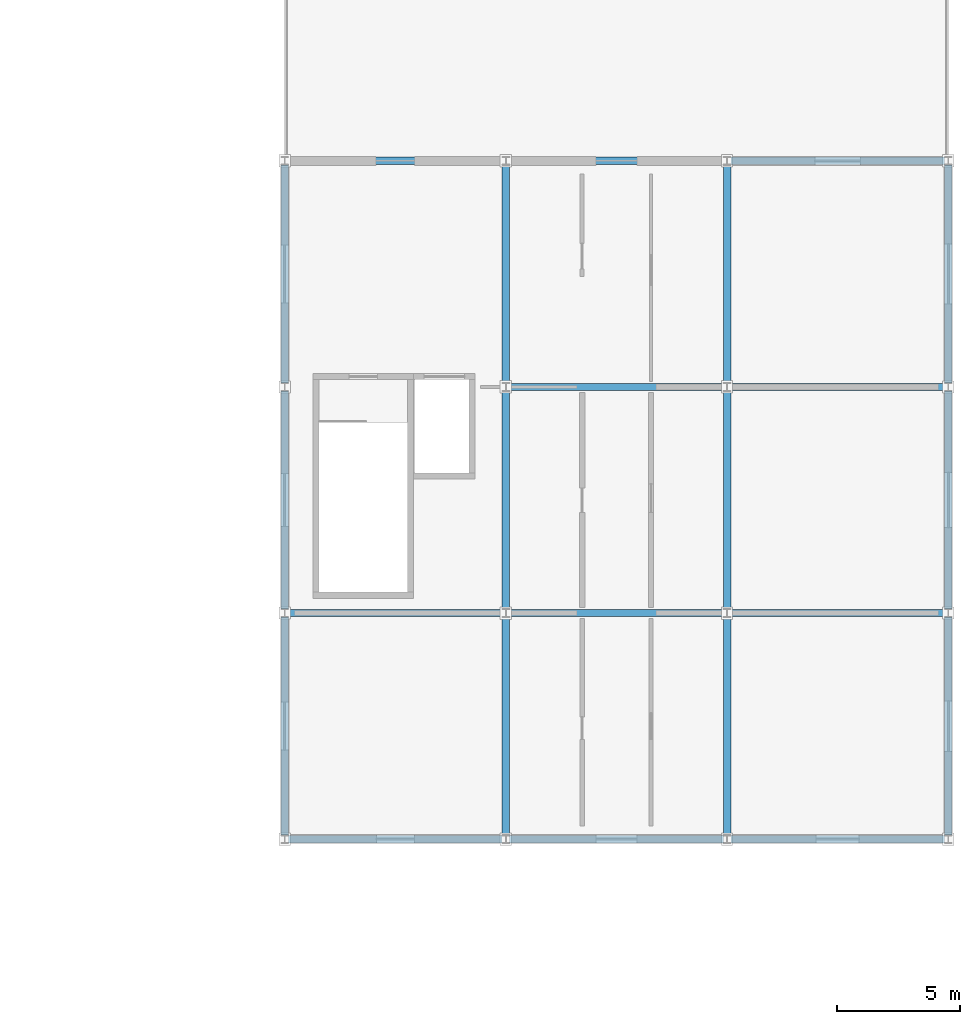
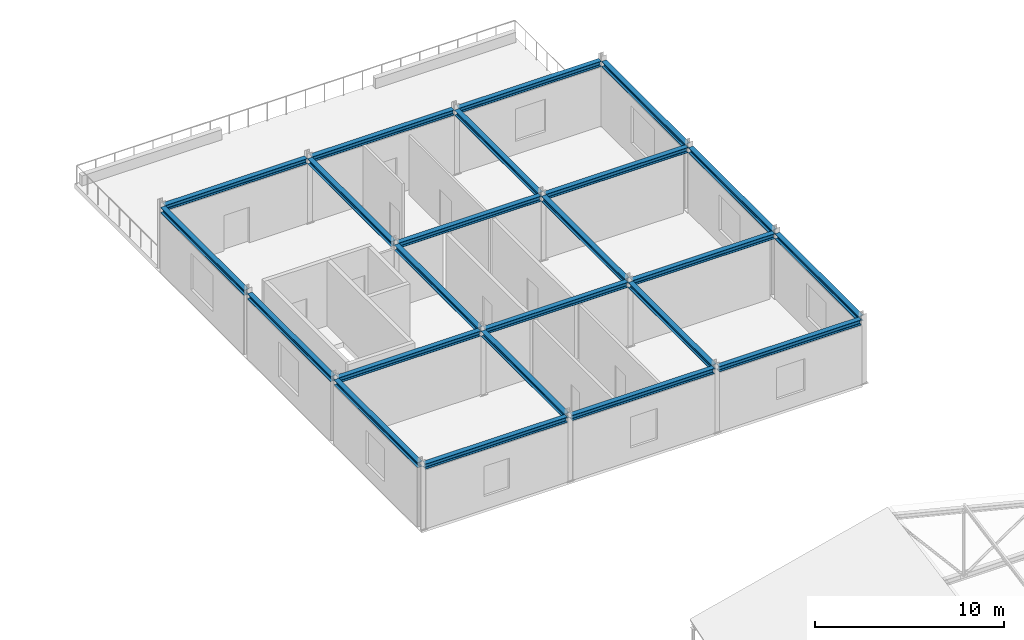
# One storey, part 18 of 33: 23 beams.
"""IFC4 building model written with IfcOpenShell, lengths in metres."""

from ifc_helpers import new_model, si_unit, direction, frame, origin, origin_2d, place, context, subcontext, project, spatial, i_section, extrude, material, material_profile, profile_set, type_object, element, save


model = new_model("IFC4")

# Units and contexts
model_context = context("Model", 3, precision=1e-05, world=origin(), true_north=direction((0.0, 1.0)))
body_context = subcontext(model_context, "Body", "Model", "MODEL_VIEW")
ifc_project = project(units=[si_unit("LENGTHUNIT", "METRE"), si_unit("AREAUNIT", "SQUARE_METRE"), si_unit("VOLUMEUNIT", "CUBIC_METRE"), si_unit("PLANEANGLEUNIT", "RADIAN"), si_unit("MASSUNIT", "GRAM", prefix="KILO")], contexts=[model_context])

# Site, building, storey
site_placement = place(None, origin())
site = spatial("IfcSite", under=ifc_project, at=site_placement, CompositionType="ELEMENT")
building_placement = place(site_placement, origin())
building = spatial("IfcBuilding", under=site, at=building_placement, Name="Bozkorgan Art Gallery", CompositionType="ELEMENT")
storey_placement = place(building_placement, frame((0.0, 0.0, 19.5)))
storey = spatial("IfcBuildingStorey", under=building, at=storey_placement, Name="L04", CompositionType="ELEMENT", Elevation=19.5)

# Beams
ifc_material = material(Name="Steel S355J2", Category="steel")
ifc_material_profile = material_profile(ifc_material, i_section(OverallWidth=0.300048828125, OverallDepth=0.340087890625, WebThickness=0.011962890625, FlangeThickness=0.021484375, FilletRadius=0.027099609375, at=origin_2d()), Name="HEB 340")
ifc_profile_set = profile_set([ifc_material_profile], Name="Steel S355J2")
beam_type = type_object("IfcBeamType", Name="BEAM-BM-95", PredefinedType="BEAM", material=ifc_profile_set)
for number, where, z_axis, x_axis, name in (
    (1, (137.14990234375, 66.0, 4.010009765625), (1.0, 0.0, 0.0), (0.0, 1.0, 0.0), "V5 L04 beam X (137-146, 66.0)"),
    (2, (146.14990234375, 66.0, 4.010009765625), (1.0, 0.0, 0.0), (0.0, 1.0, 0.0), "V5 L04 beam X (146-155, 66.0)"),
    (3, (155.14990234375, 66.0, 4.010009765625), (1.0, 0.0, 0.0), (0.0, 1.0, 0.0), "V5 L04 beam X (155-164, 66.0)"),
    (4, (137.14990234375, 75.199951171875, 4.010009765625), (1.0, 0.0, 0.0), (0.0, 1.0, 0.0), "V5 L04 beam X (137-146, 75.2)"),
    (5, (146.14990234375, 75.199951171875, 4.010009765625), (1.0, 0.0, 0.0), (0.0, 1.0, 0.0), "V5 L04 beam X (146-155, 75.2)"),
    (6, (155.14990234375, 75.199951171875, 4.010009765625), (1.0, 0.0, 0.0), (0.0, 1.0, 0.0), "V5 L04 beam X (155-164, 75.2)"),
    (7, (146.14990234375, 84.39990234375, 4.010009765625), (1.0, 0.0, 0.0), (0.0, 1.0, 0.0), "V5 L04 beam X (146-155, 84.4)"),
    (8, (155.14990234375, 84.39990234375, 4.010009765625), (1.0, 0.0, 0.0), (0.0, 1.0, 0.0), "V5 L04 beam X (155-164, 84.4)"),
    (9, (137.14990234375, 93.60009765625, 4.010009765625), (1.0, 0.0, 0.0), (0.0, 1.0, 0.0), "V5 L04 beam X (137-146, 93.6)"),
    (10, (146.14990234375, 93.60009765625, 4.010009765625), (1.0, 0.0, 0.0), (0.0, 1.0, 0.0), "V5 L04 beam X (146-155, 93.6)"),
    (11, (155.14990234375, 93.60009765625, 4.010009765625), (1.0, 0.0, 0.0), (0.0, 1.0, 0.0), "V5 L04 beam X (155-164, 93.6)"),
):
    element("IfcBeam", number, at=place(storey_placement, frame(where, z_axis=z_axis, x_axis=x_axis)), inside=storey, type_object=beam_type, Name=name, PredefinedType="BEAM", context=body_context, shape_type="SweptSolid", body=[
        extrude(i_section(OverallWidth=0.300048828125, OverallDepth=0.340087890625, WebThickness=0.011962890625, FlangeThickness=0.021484375, FilletRadius=0.027099609375, at=origin_2d()), origin(), (0.0, 0.0, 1.0), 8.7001953125),
    ])
beam_1_placement = place(storey_placement, frame((137.0, 66.169921875, 4.010009765625), z_axis=(0.0, 1.0, 0.0), x_axis=(-1.0, 0.0, 0.0)))
element("IfcBeam", 12, at=beam_1_placement, inside=storey, type_object=beam_type, Name="V5 L04 beam Y (137, 66.0-75.2)", PredefinedType="BEAM", context=body_context, shape_type="SweptSolid", body=[
    extrude(i_section(OverallWidth=0.300048828125, OverallDepth=0.340087890625, WebThickness=0.011962890625, FlangeThickness=0.021484375, FilletRadius=0.027099609375, at=origin_2d()), origin(), (0.0, 0.0, 1.0), 8.860107421875),
])
for number, where, z_axis, x_axis, name in (
    (13, (137.0, 75.3701171875, 4.010009765625), (0.0, 1.0, 0.0), (-1.0, 0.0, 0.0), "V5 L04 beam Y (137, 75.2-84.4)"),
    (14, (137.0, 84.570068359375, 4.010009765625), (0.0, 1.0, 0.0), (-1.0, 0.0, 0.0), "V5 L04 beam Y (137, 84.4-93.6)"),
):
    element("IfcBeam", number, at=place(storey_placement, frame(where, z_axis=z_axis, x_axis=x_axis)), inside=storey, type_object=beam_type, Name=name, PredefinedType="BEAM", context=body_context, shape_type="SweptSolid", body=[
        extrude(i_section(OverallWidth=0.300048828125, OverallDepth=0.340087890625, WebThickness=0.011962890625, FlangeThickness=0.021484375, FilletRadius=0.027099609375, at=origin_2d()), origin(), (0.0, 0.0, 1.0), 8.85986328125),
    ])
beam_2_placement = place(storey_placement, frame((146.0, 66.169921875, 4.010009765625), z_axis=(0.0, 1.0, 0.0), x_axis=(-1.0, 0.0, 0.0)))
element("IfcBeam", 15, at=beam_2_placement, inside=storey, type_object=beam_type, Name="V5 L04 beam Y (146, 66.0-75.2)", PredefinedType="BEAM", context=body_context, shape_type="SweptSolid", body=[
    extrude(i_section(OverallWidth=0.300048828125, OverallDepth=0.340087890625, WebThickness=0.011962890625, FlangeThickness=0.021484375, FilletRadius=0.027099609375, at=origin_2d()), origin(), (0.0, 0.0, 1.0), 8.85498046875),
])
beam_3_placement = place(storey_placement, frame((146.0, 75.375, 4.010009765625), z_axis=(0.0, 1.0, 0.0), x_axis=(-1.0, 0.0, 0.0)))
element("IfcBeam", 16, at=beam_3_placement, inside=storey, type_object=beam_type, Name="V5 L04 beam Y (146, 75.2-84.4)", PredefinedType="BEAM", context=body_context, shape_type="SweptSolid", body=[
    extrude(i_section(OverallWidth=0.300048828125, OverallDepth=0.340087890625, WebThickness=0.011962890625, FlangeThickness=0.021484375, FilletRadius=0.027099609375, at=origin_2d()), origin(), (0.0, 0.0, 1.0), 8.85009765625),
])
for number, where, z_axis, x_axis, name in (
    (17, (146.0, 84.574951171875, 4.010009765625), (0.0, 1.0, 0.0), (-1.0, 0.0, 0.0), "V5 L04 beam Y (146, 84.4-93.6)"),
    (18, (155.0, 66.169921875, 4.010009765625), (0.0, 1.0, 0.0), (-1.0, 0.0, 0.0), "V5 L04 beam Y (155, 66.0-75.2)"),
):
    element("IfcBeam", number, at=place(storey_placement, frame(where, z_axis=z_axis, x_axis=x_axis)), inside=storey, type_object=beam_type, Name=name, PredefinedType="BEAM", context=body_context, shape_type="SweptSolid", body=[
        extrude(i_section(OverallWidth=0.300048828125, OverallDepth=0.340087890625, WebThickness=0.011962890625, FlangeThickness=0.021484375, FilletRadius=0.027099609375, at=origin_2d()), origin(), (0.0, 0.0, 1.0), 8.85498046875),
    ])
beam_4_placement = place(storey_placement, frame((155.0, 75.375, 4.010009765625), z_axis=(0.0, 1.0, 0.0), x_axis=(-1.0, 0.0, 0.0)))
element("IfcBeam", 19, at=beam_4_placement, inside=storey, type_object=beam_type, Name="V5 L04 beam Y (155, 75.2-84.4)", PredefinedType="BEAM", context=body_context, shape_type="SweptSolid", body=[
    extrude(i_section(OverallWidth=0.300048828125, OverallDepth=0.340087890625, WebThickness=0.011962890625, FlangeThickness=0.021484375, FilletRadius=0.027099609375, at=origin_2d()), origin(), (0.0, 0.0, 1.0), 8.85009765625),
])
beam_5_placement = place(storey_placement, frame((155.0, 84.574951171875, 4.010009765625), z_axis=(0.0, 1.0, 0.0), x_axis=(-1.0, 0.0, 0.0)))
element("IfcBeam", 20, at=beam_5_placement, inside=storey, type_object=beam_type, Name="V5 L04 beam Y (155, 84.4-93.6)", PredefinedType="BEAM", context=body_context, shape_type="SweptSolid", body=[
    extrude(i_section(OverallWidth=0.300048828125, OverallDepth=0.340087890625, WebThickness=0.011962890625, FlangeThickness=0.021484375, FilletRadius=0.027099609375, at=origin_2d()), origin(), (0.0, 0.0, 1.0), 8.85498046875),
])
beam_6_placement = place(storey_placement, frame((164.0, 66.169921875, 4.010009765625), z_axis=(0.0, 1.0, 0.0), x_axis=(-1.0, 0.0, 0.0)))
element("IfcBeam", 21, at=beam_6_placement, inside=storey, type_object=beam_type, Name="V5 L04 beam Y (164, 66.0-75.2)", PredefinedType="BEAM", context=body_context, shape_type="SweptSolid", body=[
    extrude(i_section(OverallWidth=0.300048828125, OverallDepth=0.340087890625, WebThickness=0.011962890625, FlangeThickness=0.021484375, FilletRadius=0.027099609375, at=origin_2d()), origin(), (0.0, 0.0, 1.0), 8.860107421875),
])
for number, where, z_axis, x_axis, name in (
    (22, (164.0, 75.3701171875, 4.010009765625), (0.0, 1.0, 0.0), (-1.0, 0.0, 0.0), "V5 L04 beam Y (164, 75.2-84.4)"),
    (23, (164.0, 84.570068359375, 4.010009765625), (0.0, 1.0, 0.0), (-1.0, 0.0, 0.0), "V5 L04 beam Y (164, 84.4-93.6)"),
):
    element("IfcBeam", number, at=place(storey_placement, frame(where, z_axis=z_axis, x_axis=x_axis)), inside=storey, type_object=beam_type, Name=name, PredefinedType="BEAM", context=body_context, shape_type="SweptSolid", body=[
        extrude(i_section(OverallWidth=0.300048828125, OverallDepth=0.340087890625, WebThickness=0.011962890625, FlangeThickness=0.021484375, FilletRadius=0.027099609375, at=origin_2d()), origin(), (0.0, 0.0, 1.0), 8.85986328125),
    ])

save(model, "model.ifc")
